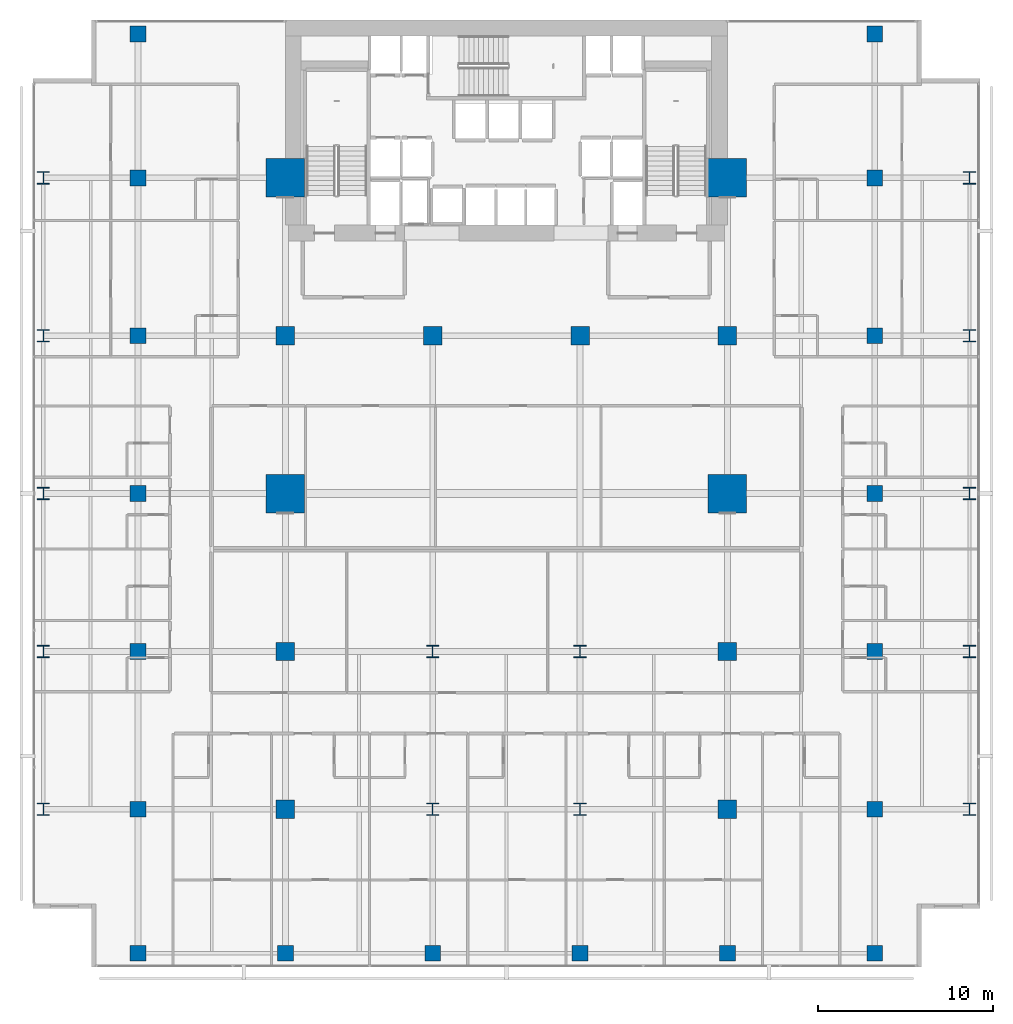
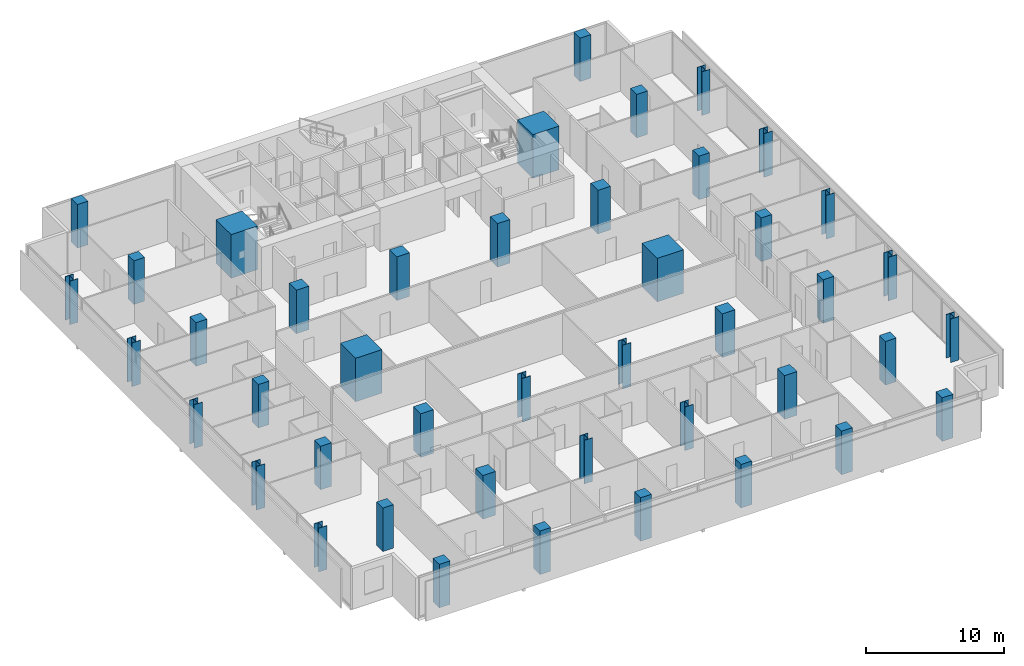
# One storey, part 1 of 40: 44 columns.
"""IFC4 building model written with IfcOpenShell, lengths in metres."""

from ifc_helpers import new_model, si_unit, direction, frame, origin, origin_2d, place, context, subcontext, project, spatial, rectangle, i_section, extrude, material, material_profile, profile_set, type_object, element, save


model = new_model("IFC4")

# Units and contexts
model_context = context("Model", 3, precision=1e-05, world=origin(), true_north=direction((0.0, 1.0)))
body_context = subcontext(model_context, "Body", "Model", "MODEL_VIEW")
ifc_project = project(units=[si_unit("LENGTHUNIT", "METRE"), si_unit("AREAUNIT", "SQUARE_METRE"), si_unit("VOLUMEUNIT", "CUBIC_METRE"), si_unit("PLANEANGLEUNIT", "RADIAN"), si_unit("MASSUNIT", "GRAM", prefix="KILO")], contexts=[model_context])

# Site, building, storey
site_placement = place(None, origin())
site = spatial("IfcSite", under=ifc_project, at=site_placement, CompositionType="ELEMENT")
building_placement = place(site_placement, origin())
building = spatial("IfcBuilding", under=site, at=building_placement, Name="Maruvema Waterfront Hotel and Observation Tower", CompositionType="ELEMENT")
storey_placement = place(building_placement, frame((0.0, 0.0, 57.75)))
storey = spatial("IfcBuildingStorey", under=building, at=storey_placement, Name="L13", CompositionType="ELEMENT", Elevation=57.75)

# Columns
ifc_material_1 = material(Name="Concrete C80/95", Category="concrete")
ifc_material_profile_1 = material_profile(ifc_material_1, rectangle(XDim=2.199951171875, YDim=2.199951171875, at=origin_2d()), Name="MC2200x2200")
ifc_profile_set_1 = profile_set([ifc_material_profile_1], Name="Concrete C80/95")
column_type_1 = type_object("IfcColumnType", Name="Continuous Mega-Column MC2200x2200", PredefinedType="COLUMN", material=ifc_profile_set_1)
for number, where, z_axis, x_axis, name in (
    (1, (25.199951171875, 27.0, 0.0), (0.0, 0.0, 1.0), (1.0, 0.0, 0.0), "L13 Continuous Mega-Column MC-01"),
    (2, (50.39990234375, 27.0, 0.0), (0.0, 0.0, 1.0), (1.0, 0.0, 0.0), "L13 Continuous Mega-Column MC-02"),
    (3, (25.199951171875, 45.0, 0.0), (0.0, 0.0, 1.0), (1.0, 0.0, 0.0), "L13 Continuous Mega-Column MC-03"),
    (4, (50.39990234375, 45.0, 0.0), (0.0, 0.0, 1.0), (1.0, 0.0, 0.0), "L13 Continuous Mega-Column MC-04"),
):
    element("IfcColumn", number, at=place(storey_placement, frame(where, z_axis=z_axis, x_axis=x_axis)), inside=storey, type_object=column_type_1, Name=name, PredefinedType="COLUMN", context=body_context, shape_type="SweptSolid", body=[
        extrude(rectangle(XDim=2.199951171875, YDim=2.199951171875, at=origin_2d()), origin(), (0.0, 0.0, 1.0), 3.85009765625),
    ])
ifc_material_2 = material(Name="Concrete C60/75", Category="concrete")
ifc_material_profile_2 = material_profile(ifc_material_2, rectangle(XDim=1.050048828125, YDim=1.050048828125, at=origin_2d()), Name="RC1050x1050")
ifc_profile_set_2 = profile_set([ifc_material_profile_2], Name="Concrete C60/75")
column_type_2 = type_object("IfcColumnType", Name="Reinforced Concrete Column RC1050x1050", PredefinedType="COLUMN", material=ifc_profile_set_2)
for number, where, z_axis, x_axis, name in (
    (5, (25.199951171875, 36.0, 0.0), (0.0, 0.0, 1.0), (1.0, 0.0, 0.0), "L13 Column C-4E"),
    (6, (33.60009765625, 36.0, 0.0), (0.0, 0.0, 1.0), (1.0, 0.0, 0.0), "L13 Column C-5E"),
    (7, (42.0, 36.0, 0.0), (0.0, 0.0, 1.0), (1.0, 0.0, 0.0), "L13 Column C-6E"),
    (8, (50.39990234375, 36.0, 0.0), (0.0, 0.0, 1.0), (1.0, 0.0, 0.0), "L13 Column C-7E"),
    (9, (25.199951171875, 18.0, 0.0), (0.0, 0.0, 1.0), (1.0, 0.0, 0.0), "L13 Column C-4C"),
    (10, (50.39990234375, 18.0, 0.0), (0.0, 0.0, 1.0), (1.0, 0.0, 0.0), "L13 Column C-7C"),
    (11, (25.199951171875, 9.0, 0.0), (0.0, 0.0, 1.0), (1.0, 0.0, 0.0), "L13 Column C-4B"),
    (12, (50.39990234375, 9.0, 0.0), (0.0, 0.0, 1.0), (1.0, 0.0, 0.0), "L13 Column C-7B"),
):
    element("IfcColumn", number, at=place(storey_placement, frame(where, z_axis=z_axis, x_axis=x_axis)), inside=storey, type_object=column_type_2, Name=name, PredefinedType="COLUMN", context=body_context, shape_type="SweptSolid", body=[
        extrude(rectangle(XDim=1.050048828125, YDim=1.050048828125, at=origin_2d()), origin(), (0.0, 0.0, 1.0), 3.85009765625),
    ])
ifc_material_3 = material(Name="Concrete C60/75", Category="concrete")
ifc_material_profile_3 = material_profile(ifc_material_3, rectangle(XDim=0.89990234375, YDim=0.89990234375, at=origin_2d()), Name="RC900x900")
ifc_profile_set_3 = profile_set([ifc_material_profile_3], Name="Concrete C60/75")
column_type_3 = type_object("IfcColumnType", Name="Reinforced Concrete Column RC900x900", PredefinedType="COLUMN", material=ifc_profile_set_3)
for number, where, z_axis, x_axis, name in (
    (13, (16.800048828125, 9.0, 0.0), (0.0, 0.0, 1.0), (1.0, 0.0, 0.0), "L13 Column C-3Y9"),
    (14, (58.800048828125, 9.0, 0.0), (0.0, 0.0, 1.0), (1.0, 0.0, 0.0), "L13 Column C-8Y9"),
    (15, (16.800048828125, 18.0, 0.0), (0.0, 0.0, 1.0), (1.0, 0.0, 0.0), "L13 Column C-3Y18"),
    (16, (58.800048828125, 18.0, 0.0), (0.0, 0.0, 1.0), (1.0, 0.0, 0.0), "L13 Column C-8Y18"),
    (17, (16.800048828125, 27.0, 0.0), (0.0, 0.0, 1.0), (1.0, 0.0, 0.0), "L13 Column C-3Y27"),
    (18, (58.800048828125, 27.0, 0.0), (0.0, 0.0, 1.0), (1.0, 0.0, 0.0), "L13 Column C-8Y27"),
    (19, (16.800048828125, 36.0, 0.0), (0.0, 0.0, 1.0), (1.0, 0.0, 0.0), "L13 Column C-3Y36"),
    (20, (58.800048828125, 36.0, 0.0), (0.0, 0.0, 1.0), (1.0, 0.0, 0.0), "L13 Column C-8Y36"),
    (21, (16.800048828125, 45.0, 0.0), (0.0, 0.0, 1.0), (1.0, 0.0, 0.0), "L13 Column C-3Y45"),
    (22, (58.800048828125, 45.0, 0.0), (0.0, 0.0, 1.0), (1.0, 0.0, 0.0), "L13 Column C-8Y45"),
    (23, (16.800048828125, 0.800048828125, 0.0), (0.0, 0.0, 1.0), (1.0, 0.0, 0.0), "L13 Column C-3A"),
    (24, (25.199951171875, 0.800048828125, 0.0), (0.0, 0.0, 1.0), (1.0, 0.0, 0.0), "L13 Column C-4A"),
    (25, (33.60009765625, 0.800048828125, 0.0), (0.0, 0.0, 1.0), (1.0, 0.0, 0.0), "L13 Column C-5A"),
    (26, (42.0, 0.800048828125, 0.0), (0.0, 0.0, 1.0), (1.0, 0.0, 0.0), "L13 Column C-6A"),
    (27, (50.39990234375, 0.800048828125, 0.0), (0.0, 0.0, 1.0), (1.0, 0.0, 0.0), "L13 Column C-7A"),
    (28, (58.800048828125, 0.800048828125, 0.0), (0.0, 0.0, 1.0), (1.0, 0.0, 0.0), "L13 Column C-8A"),
    (29, (16.800048828125, 53.199951171875, 0.0), (0.0, 0.0, 1.0), (1.0, 0.0, 0.0), "L13 Column C-3G"),
    (30, (58.800048828125, 53.199951171875, 0.0), (0.0, 0.0, 1.0), (1.0, 0.0, 0.0), "L13 Column C-8G"),
):
    element("IfcColumn", number, at=place(storey_placement, frame(where, z_axis=z_axis, x_axis=x_axis)), inside=storey, type_object=column_type_3, Name=name, PredefinedType="COLUMN", context=body_context, shape_type="SweptSolid", body=[
        extrude(rectangle(XDim=0.89990234375, YDim=0.89990234375, at=origin_2d()), origin(), (0.0, 0.0, 1.0), 3.85009765625),
    ])
ifc_material_4 = material(Name="Steel ABNT NBR 7007 AR 415 (ASTM A572 Grade 50)", Category="steel")
ifc_material_profile_4 = material_profile(ifc_material_4, i_section(OverallWidth=0.699951171875, OverallDepth=0.699951171875, WebThickness=0.028076171875, FlangeThickness=0.0439453125, at=origin_2d()), Name="CVS700x436")
ifc_profile_set_4 = profile_set([ifc_material_profile_4], Name="Steel ABNT NBR 7007 AR 415 (ASTM A572 Grade 50)")
column_type_4 = type_object("IfcColumnType", Name="Structural Steel Column CVS700x436", PredefinedType="COLUMN", material=ifc_profile_set_4)
for number, where, z_axis, x_axis, name in (
    (31, (33.60009765625, 9.0, 0.0), (0.0, 0.0, 1.0), (1.0, 0.0, 0.0), "L13 Column C-5B"),
    (32, (42.0, 9.0, 0.0), (0.0, 0.0, 1.0), (1.0, 0.0, 0.0), "L13 Column C-6B"),
    (33, (33.60009765625, 18.0, 0.0), (0.0, 0.0, 1.0), (1.0, 0.0, 0.0), "L13 Column C-5C"),
    (34, (42.0, 18.0, 0.0), (0.0, 0.0, 1.0), (1.0, 0.0, 0.0), "L13 Column C-6C"),
    (35, (11.39990234375, 9.0, 0.0), (0.0, 0.0, 1.0), (1.0, 0.0, 0.0), "L13 Column C-Z1W9"),
    (36, (64.199951171875, 9.0, 0.0), (0.0, 0.0, 1.0), (1.0, 0.0, 0.0), "L13 Column C-Z1E9"),
    (37, (11.39990234375, 18.0, 0.0), (0.0, 0.0, 1.0), (1.0, 0.0, 0.0), "L13 Column C-Z1W18"),
    (38, (64.199951171875, 18.0, 0.0), (0.0, 0.0, 1.0), (1.0, 0.0, 0.0), "L13 Column C-Z1E18"),
    (39, (11.39990234375, 27.0, 0.0), (0.0, 0.0, 1.0), (1.0, 0.0, 0.0), "L13 Column C-Z1W27"),
    (40, (64.199951171875, 27.0, 0.0), (0.0, 0.0, 1.0), (1.0, 0.0, 0.0), "L13 Column C-Z1E27"),
    (41, (11.39990234375, 36.0, 0.0), (0.0, 0.0, 1.0), (1.0, 0.0, 0.0), "L13 Column C-Z1W36"),
    (42, (64.199951171875, 36.0, 0.0), (0.0, 0.0, 1.0), (1.0, 0.0, 0.0), "L13 Column C-Z1E36"),
    (43, (11.39990234375, 45.0, 0.0), (0.0, 0.0, 1.0), (1.0, 0.0, 0.0), "L13 Column C-Z1W45"),
    (44, (64.199951171875, 45.0, 0.0), (0.0, 0.0, 1.0), (1.0, 0.0, 0.0), "L13 Column C-Z1E45"),
):
    element("IfcColumn", number, at=place(storey_placement, frame(where, z_axis=z_axis, x_axis=x_axis)), inside=storey, type_object=column_type_4, Name=name, PredefinedType="COLUMN", context=body_context, shape_type="SweptSolid", body=[
        extrude(i_section(OverallWidth=0.699951171875, OverallDepth=0.699951171875, WebThickness=0.028076171875, FlangeThickness=0.0439453125, at=origin_2d()), origin(), (0.0, 0.0, 1.0), 3.85009765625),
    ])

save(model, "model.ifc")
